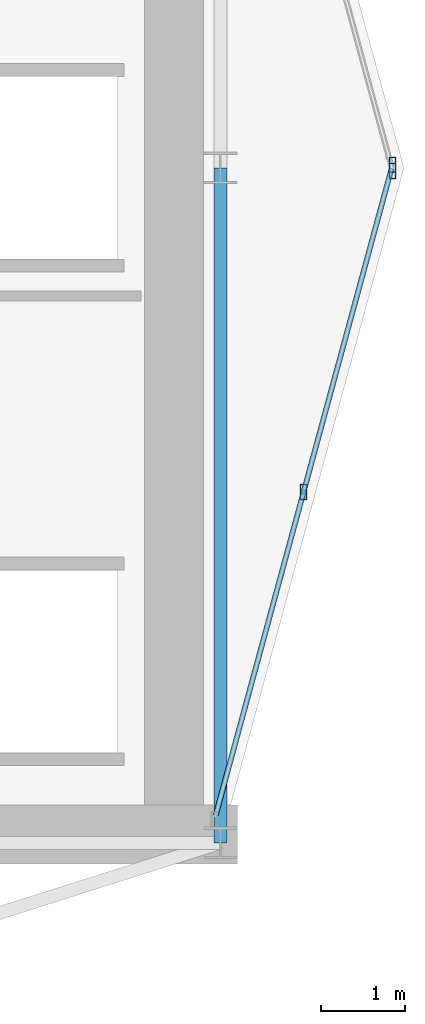
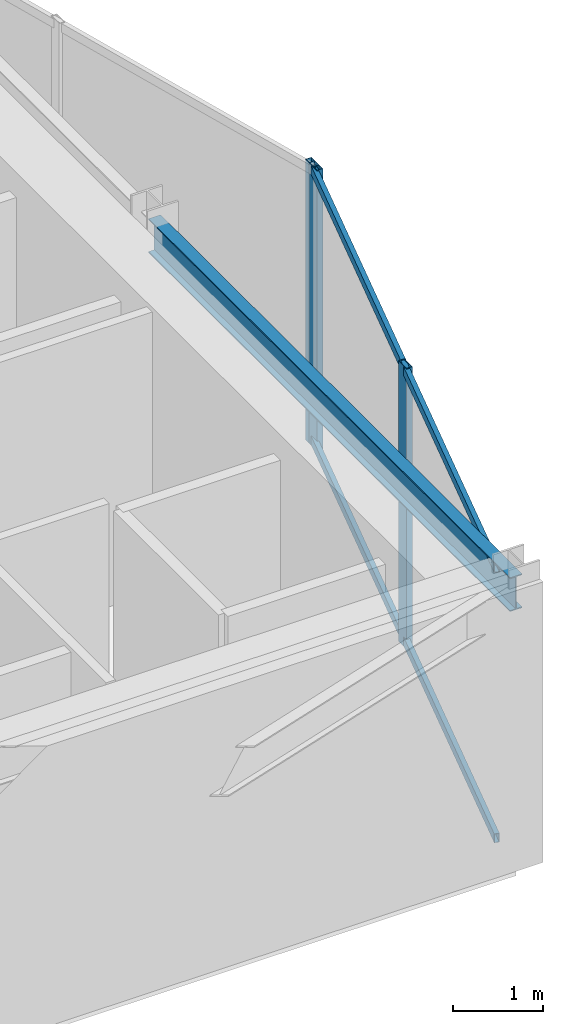
# One storey, part 13 of 21: 5 members, 1 beam, 2 elements without a shape of their own.
"""IFC4 building model written with IfcOpenShell, lengths in metres."""

import ifcopenshell
import ifcopenshell.guid

model = None  # the IFC model being written
_history = None  # IfcOwnerHistory: only IFC2X3 demands one
_inside = {}  # id of a spatial element -> (the spatial element, [elements in it])
_under = {}  # id of a project, library or spatial element -> (it, [spatial elements below it])
_declared = {}  # id of a project -> (the project, [libraries it declares])
_typed = {}  # id of a type object -> (the type object, [elements of that type])
_made_of = {}  # id of a material, layer set ... -> (it, [elements and type objects made of it])


def new_model(schema):
    """Start an empty IFC model of exactly this schema.

    Asked for "IFC4X3", IfcOpenShell would pick the latest addendum, in which some entities
    have other attributes; the version numbers below select the first issue.
    IFC2X3 requires an IfcOwnerHistory on every rooted entity: one is made here for all.
    """
    global model, _history
    if schema == "IFC4X3":
        model = ifcopenshell.file(schema_version=(4, 3, 0, 0))
    else:
        model = ifcopenshell.file(schema=schema)
    _inside.clear()
    _under.clear()
    _declared.clear()
    _typed.clear()
    _made_of.clear()
    _history = None
    if model.schema == "IFC2X3":
        org = make("IfcOrganization", Name="unknown")
        user = make(
            "IfcPersonAndOrganization",
            ThePerson=make("IfcPerson", FamilyName="unknown"),
            TheOrganization=org,
        )
        app = make(
            "IfcApplication",
            ApplicationDeveloper=org,
            Version="unknown",
            ApplicationFullName="unknown",
            ApplicationIdentifier="unknown",
        )
        _history = make(
            "IfcOwnerHistory",
            OwningUser=user,
            OwningApplication=app,
            ChangeAction="ADDED",
            CreationDate=0,
        )
    return model


def make(cls, **values):
    """One entity of the class cls with the attributes given. An attribute that is None is left unset."""
    return model.create_entity(
        cls, **{name: value for name, value in values.items() if value is not None}
    )


def rooted(cls, **values):
    """An entity with a GlobalId (a new one), such as an element, a storey or a relation."""
    return make(cls, GlobalId=ifcopenshell.guid.new(), OwnerHistory=_history, **values)


def si_unit(unit_type, name, prefix=None):
    """IfcSIUnit, for example si_unit("LENGTHUNIT", "METRE", prefix="MILLI")."""
    return make("IfcSIUnit", UnitType=unit_type, Prefix=prefix, Name=name)


def assignment(units):
    """IfcUnitAssignment: the units of a project."""
    return None if units is None else make("IfcUnitAssignment", Units=units)


def point(xyz):
    """IfcCartesianPoint."""
    return None if xyz is None else make("IfcCartesianPoint", Coordinates=xyz)


def direction(xyz):
    """IfcDirection."""
    return None if xyz is None else make("IfcDirection", DirectionRatios=xyz)


def frame(location, z_axis=None, x_axis=None):
    """IfcAxis2Placement3D, a coordinate frame: its origin and axes. An axis left out is left unset."""
    return make(
        "IfcAxis2Placement3D",
        Location=point(location),
        Axis=direction(z_axis),
        RefDirection=direction(x_axis),
    )


def frame_2d(location, x_axis=None):
    """IfcAxis2Placement2D, a coordinate frame in the plane: its origin and x axis."""
    return make(
        "IfcAxis2Placement2D", Location=point(location), RefDirection=direction(x_axis)
    )


def origin():
    """The frame at (0, 0, 0) with its axes left unset."""
    return frame((0.0, 0.0, 0.0))


def origin_2d():
    """The frame at (0, 0) in the plane with its x axis left unset."""
    return frame_2d((0.0, 0.0))


def place(relative_to, where):
    """IfcLocalPlacement: puts the frame where relative to a parent placement (None: the world)."""
    return make(
        "IfcLocalPlacement", PlacementRelTo=relative_to, RelativePlacement=where
    )


def context(
    kind, dimensions, precision=None, world=None, true_north=None, identifier=None
):
    """IfcGeometricRepresentationContext, for example the 3D "Model" context."""
    return make(
        "IfcGeometricRepresentationContext",
        ContextIdentifier=identifier,
        ContextType=kind,
        CoordinateSpaceDimension=dimensions,
        Precision=precision,
        WorldCoordinateSystem=world,
        TrueNorth=true_north,
    )


def subcontext(parent, identifier, kind, view, scale=None):
    """IfcGeometricRepresentationSubContext, for example "Body" below "Model"."""
    return make(
        "IfcGeometricRepresentationSubContext",
        ContextIdentifier=identifier,
        ContextType=kind,
        ParentContext=parent,
        TargetScale=scale,
        TargetView=view,
    )


def project(units=None, contexts=None):
    """IfcProject with its units and contexts."""
    return rooted(
        "IfcProject",
        Name="project",
        RepresentationContexts=contexts,
        UnitsInContext=assignment(units),
    )


def spatial(cls, under=None, at=None, **own):
    """A site, building, storey or space (cls), placed at a placement, below another one or the project."""
    s = rooted(cls, ObjectPlacement=at, **own)
    if under is not None:
        _under.setdefault(under.id(), (under, []))[1].append(s)
    return s


def profile(cls, at=None, kind="AREA", **sizes):
    """A parametric profile (cls). Its sizes go by their IFC names, for example OverallWidth=200.0."""
    return make(cls, ProfileType=kind, Position=at, **sizes)


def hollow_rectangle(**sizes):
    """IfcRectangleHollowProfileDef."""
    return profile("IfcRectangleHollowProfileDef", **sizes)


def i_section(**sizes):
    """IfcIShapeProfileDef."""
    return profile("IfcIShapeProfileDef", **sizes)


def extrude(swept, where, along, depth):
    """IfcExtrudedAreaSolid: the profile swept, set in the frame where, extruded along a direction by depth."""
    return make(
        "IfcExtrudedAreaSolid",
        SweptArea=swept,
        Position=where,
        ExtrudedDirection=direction(along),
        Depth=depth,
    )


def shape(context_of_items, identifier, shape_type, items):
    """IfcShapeRepresentation: the items that make up one representation, for example the "Body"."""
    return make(
        "IfcShapeRepresentation",
        ContextOfItems=context_of_items,
        RepresentationIdentifier=identifier,
        RepresentationType=shape_type,
        Items=items,
    )


def material(Name=None, Category=None):
    """IfcMaterial."""
    return make("IfcMaterial", Name=Name, Category=Category)


def layer(
    of_material, thickness, ventilated=None, Name=None, Category=None, Priority=None
):
    """IfcMaterialLayer: one layer of a wall or slab, of a material (None: an air gap)."""
    return make(
        "IfcMaterialLayer",
        Material=of_material,
        LayerThickness=thickness,
        IsVentilated=ventilated,
        Name=Name,
        Category=Category,
        Priority=Priority,
    )


def layer_set(layers, Name=None):
    """IfcMaterialLayerSet."""
    return make("IfcMaterialLayerSet", MaterialLayers=layers, LayerSetName=Name)


def material_profile(
    of_material, cross_section, Name=None, Category=None, Priority=None
):
    """IfcMaterialProfile: a cross section and its material."""
    return make(
        "IfcMaterialProfile",
        Name=Name,
        Material=of_material,
        Profile=cross_section,
        Priority=Priority,
        Category=Category,
    )


def profile_set(profiles, Name=None, composite=None):
    """IfcMaterialProfileSet."""
    return make(
        "IfcMaterialProfileSet",
        Name=Name,
        MaterialProfiles=profiles,
        CompositeProfile=composite,
    )


def made_of(thing, what):
    """Note that an element or type object is made of a material, layer set ...; save() writes the relation."""
    if what is not None:
        _made_of.setdefault(what.id(), (what, []))[1].append(thing)
    return thing


def type_object(cls, material=None, **own):
    """A type object (cls), such as IfcWallType, which elements share."""
    return made_of(rooted(cls, **own), material)


def element(
    cls,
    number,
    at=None,
    inside=None,
    cuts=None,
    type_object=None,
    material=None,
    context=None,
    identifier="Body",
    shape_type=None,
    held_by="IfcProductDefinitionShape",
    body=None,
    shapes=None,
    **own,
):
    """One element of the class cls, such as IfcWall. Its Tag is "e" and its number.

    at: its placement. inside: the storey or other place that contains it. cuts: it is an
    opening in that element (IfcRelVoidsElement). A single representation is given by context,
    identifier, shape_type and body (its items); several are given by shapes. held_by: the class
    of the entity that holds the representations. save() writes the other relations.
    """
    e = rooted(cls, Tag="e%d" % number, ObjectPlacement=at, **own)
    if body is not None:
        shapes = [shape(context, identifier, shape_type, body)]
    if shapes is not None:
        e.Representation = make(held_by, Representations=shapes)
    if inside is not None:
        _inside.setdefault(inside.id(), (inside, []))[1].append(e)
    if cuts is not None:
        rooted(
            "IfcRelVoidsElement", RelatingBuildingElement=cuts, RelatedOpeningElement=e
        )
    if type_object is not None:
        _typed.setdefault(type_object.id(), (type_object, []))[1].append(e)
    return made_of(e, material)


def aggregate(whole, parts):
    """IfcRelAggregates: a whole, such as a stair, and the parts it consists of."""
    return rooted("IfcRelAggregates", RelatingObject=whole, RelatedObjects=parts)


def save(model, path):
    """Write the relations noted so far, then the file.

    IfcRelAggregates (storeys below a building ...), IfcRelContainedInSpatialStructure (elements
    in a storey), IfcRelDefinesByType, IfcRelAssociatesMaterial and IfcRelDeclares: one each for
    every whole, place, type object, material and project.
    """
    for whole, parts in _under.values():
        aggregate(whole, parts)
    for where, things in _inside.values():
        rooted(
            "IfcRelContainedInSpatialStructure",
            RelatedElements=things,
            RelatingStructure=where,
        )
    for kind, things in _typed.values():
        rooted("IfcRelDefinesByType", RelatedObjects=things, RelatingType=kind)
    for what, things in _made_of.values():
        rooted("IfcRelAssociatesMaterial", RelatedObjects=things, RelatingMaterial=what)
    for by, libraries in _declared.values():
        rooted("IfcRelDeclares", RelatingContext=by, RelatedDefinitions=libraries)
    model.write(path)


model = new_model("IFC4")

# Units and contexts
model_context = context("Model", 3, precision=1e-05, world=origin(), true_north=direction((0.0, 1.0)))
body_context = subcontext(model_context, "Body", "Model", "MODEL_VIEW")
ifc_project = project(units=[si_unit("LENGTHUNIT", "METRE"), si_unit("AREAUNIT", "SQUARE_METRE"), si_unit("VOLUMEUNIT", "CUBIC_METRE"), si_unit("PLANEANGLEUNIT", "RADIAN"), si_unit("MASSUNIT", "GRAM", prefix="KILO")], contexts=[model_context])

# Site, building, storey
site_placement = place(None, origin())
site = spatial("IfcSite", under=ifc_project, at=site_placement, CompositionType="ELEMENT")
building_placement = place(site_placement, origin())
building = spatial("IfcBuilding", under=site, at=building_placement, Name="Veymaron Broadcast Tower", CompositionType="ELEMENT")
storey_placement = place(building_placement, frame((0.0, 0.0, 244.5)))
storey = spatial("IfcBuildingStorey", under=building, at=storey_placement, Name="L57", CompositionType="ELEMENT", Elevation=244.5)

# Beam
ifc_material_1 = material(Name="Structural steel ASTM A992 Gr 50", Category="steel")
ifc_material_profile_1 = material_profile(ifc_material_1, i_section(OverallWidth=0.154052734375, OverallDepth=0.458984375, WebThickness=0.009033203125, FlangeThickness=0.015380859375, at=origin_2d()), Name="W460X68")
ifc_profile_set_1 = profile_set([ifc_material_profile_1], Name="Structural steel ASTM A992 Gr 50")
beam_type = type_object("IfcBeamType", Name="BM-SP2", PredefinedType="SPANDREL", material=ifc_profile_set_1)
beam_placement = place(storey_placement, frame((54.60009765625, 16.0, 3.560546875), z_axis=(0.0, 1.0, 0.0), x_axis=(-1.0, 0.0, 0.0)))
element("IfcBeam", 1, at=beam_placement, inside=storey, type_object=beam_type, Name="L57 primary structural floor girder", PredefinedType="SPANDREL", context=body_context, shape_type="SweptSolid", body=[
    extrude(i_section(OverallWidth=0.154052734375, OverallDepth=0.458984375, WebThickness=0.009033203125, FlangeThickness=0.015380859375, at=origin_2d()), origin(), (0.0, 0.0, 1.0), 8.0),
])

# Curtain wall, members
ifc_material_2 = material(Name="Anodised aluminium AA 6063-T6 and laminated low-E dark glass", Category="aluminium")
ifc_layer = layer(ifc_material_2, 0.179931640625)
ifc_layer_set = layer_set([ifc_layer], Name="Anodised aluminium AA 6063-T6 and laminated low-E dark glass")
curtain_wall_type = type_object("IfcCurtainWallType", Name="CW-SYS-05", PredefinedType="NOTDEFINED", material=ifc_layer_set)
curtain_wall_1_placement = place(storey_placement, origin())
curtain_wall_1 = element("IfcCurtainWall", 2, at=curtain_wall_1_placement, inside=storey, type_object=curtain_wall_type, Name="L57 dark-glass curtain wall CW-L57-E2-1", PredefinedType="NOTDEFINED")
ifc_material_3 = material(Name="Anodised aluminium AA 6063-T6", Category="aluminium")
ifc_material_profile_2 = material_profile(ifc_material_3, hollow_rectangle(XDim=0.074951171875, YDim=0.179931640625, WallThickness=0.0048828125, at=origin_2d()), Name="AL180X75X5")
ifc_profile_set_2 = profile_set([ifc_material_profile_2], Name="Anodised aluminium AA 6063-T6")
member_type_1 = type_object("IfcMemberType", Name="CW-MUL-02", PredefinedType="MULLION", material=ifc_profile_set_2)
member_1_placement = place(storey_placement, frame((55.585693359375, 20.15771484375, 0.0), z_axis=(0.0, 0.0, 1.0), x_axis=(1.0, 0.0, 0.0)))
member_1 = element("IfcMember", 3, at=member_1_placement, type_object=member_type_1, Name="CW-L57-E2-1 mullion 1", PredefinedType="MULLION", context=body_context, shape_type="SweptSolid", body=[
    extrude(hollow_rectangle(XDim=0.074951171875, YDim=0.179931640625, WallThickness=0.0048828125, at=origin_2d()), origin(), (0.0, 0.0, 1.0), 3.7900390625),
])
member_2_placement = place(storey_placement, frame((56.640380859375, 24.03662109375, 0.0), z_axis=(0.0, 0.0, 1.0), x_axis=(1.0, 0.0, 0.0)))
member_2 = element("IfcMember", 4, at=member_2_placement, type_object=member_type_1, Name="CW-L57-E2-1 mullion 2", PredefinedType="MULLION", context=body_context, shape_type="SweptSolid", body=[
    extrude(hollow_rectangle(XDim=0.074951171875, YDim=0.179931640625, WallThickness=0.0048828125, at=origin_2d()), origin(), (0.0, 0.0, 1.0), 3.7900390625),
])

# Curtain wall, member
curtain_wall_2_placement = place(storey_placement, origin())
curtain_wall_2 = element("IfcCurtainWall", 5, at=curtain_wall_2_placement, inside=storey, type_object=curtain_wall_type, Name="L57 dark-glass curtain wall CW-L57-E3-1", PredefinedType="NOTDEFINED")
member_3_placement = place(storey_placement, frame((56.640380859375, 23.96337890625, 0.0), z_axis=(0.0, 0.0, 1.0), x_axis=(1.0, 0.0, 0.0)))
member_3 = element("IfcMember", 6, at=member_3_placement, type_object=member_type_1, Name="CW-L57-E3-1 mullion 0", PredefinedType="MULLION", context=body_context, shape_type="SweptSolid", body=[
    extrude(hollow_rectangle(XDim=0.074951171875, YDim=0.179931640625, WallThickness=0.0048828125, at=origin_2d()), origin(), (0.0, 0.0, 1.0), 3.7900390625),
])
aggregate(curtain_wall_2, [member_3])

# Member
ifc_material_profile_3 = material_profile(ifc_material_3, hollow_rectangle(XDim=0.06005859375, YDim=0.1201171875, WallThickness=0.00390625, at=origin_2d()), Name="AL120X60X4")
ifc_profile_set_3 = profile_set([ifc_material_profile_3], Name="Anodised aluminium AA 6063-T6")
member_type_2 = type_object("IfcMemberType", Name="CW-TRN-02", PredefinedType="USERDEFINED", material=ifc_profile_set_3)
member_4_placement = place(storey_placement, frame((54.543701171875, 16.326904296875, 0.070068359375), z_axis=(0.262438272271, 0.964948782707, 0.0), x_axis=(-0.964948782707, 0.262438272271, 0.0)))
member_4 = element("IfcMember", 7, at=member_4_placement, type_object=member_type_2, Name="CW-L57-E2-1 transom B", ObjectType="TRANSOM", PredefinedType="USERDEFINED", context=body_context, shape_type="SweptSolid", body=[
    extrude(hollow_rectangle(XDim=0.06005859375, YDim=0.1201171875, WallThickness=0.00390625, at=origin_2d()), origin(), (0.0, 0.0, 1.0), 7.93994140625),
])

member_5_placement = place(storey_placement, frame((54.543701171875, 16.326904296875, 3.719970703125), z_axis=(0.262438272271, 0.964948782707, 0.0), x_axis=(-0.964948782707, 0.262438272271, 0.0)))
member_5 = element("IfcMember", 8, at=member_5_placement, type_object=member_type_2, Name="CW-L57-E2-1 transom T", ObjectType="TRANSOM", PredefinedType="USERDEFINED", context=body_context, shape_type="SweptSolid", body=[
    extrude(hollow_rectangle(XDim=0.06005859375, YDim=0.1201171875, WallThickness=0.00390625, at=origin_2d()), origin(), (0.0, 0.0, 1.0), 7.93994140625),
])

aggregate(curtain_wall_1, [member_1, member_2, member_4, member_5])

save(model, "model.ifc")
